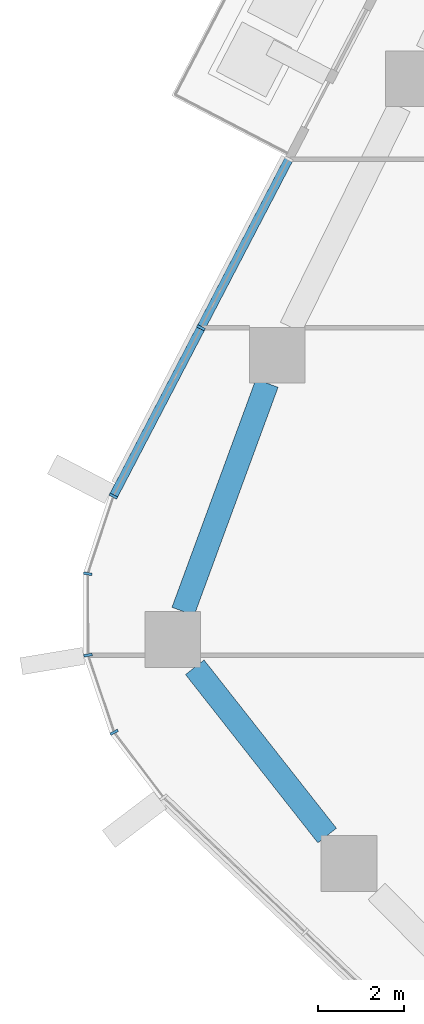
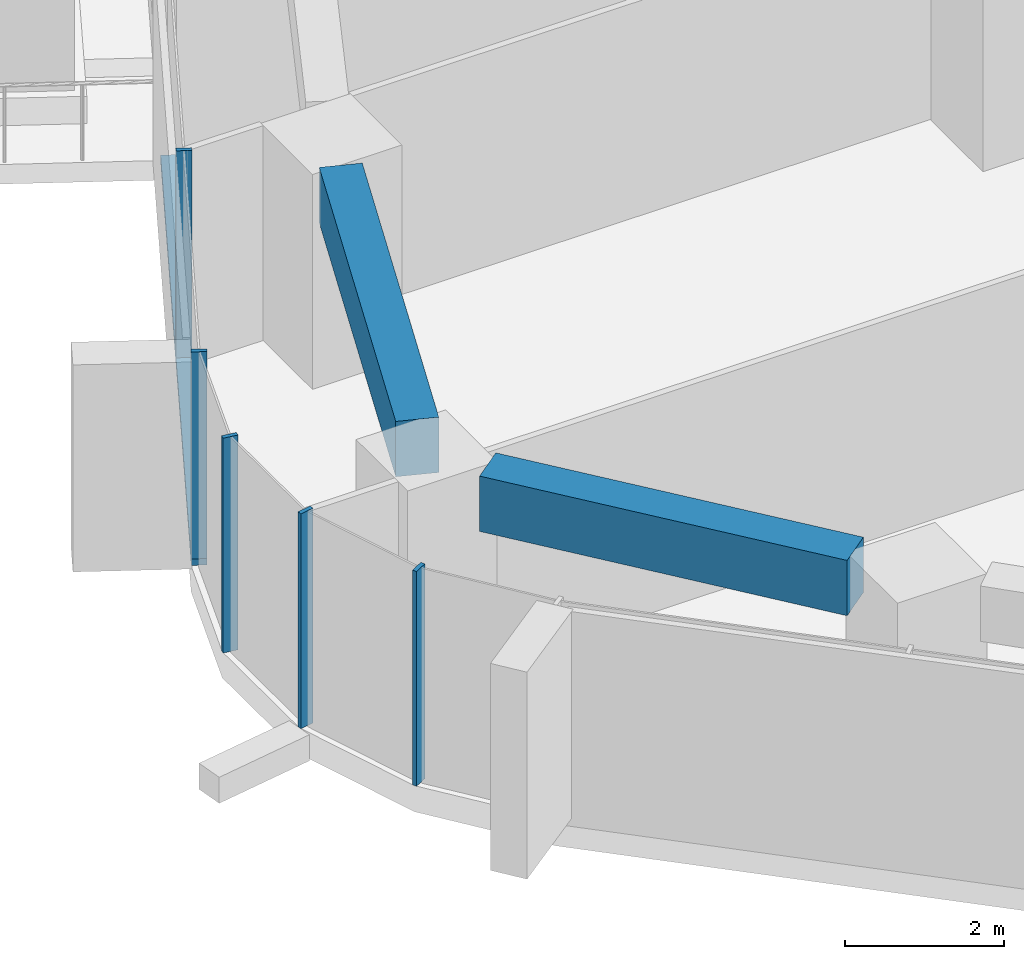
# One storey, part 3 of 23: 6 members, 2 beams, 2 elements without a shape of their own.
"""IFC4 building model written with IfcOpenShell, lengths in metres."""

from ifc_helpers import new_model, si_unit, direction, frame, origin, origin_2d, place, context, subcontext, project, spatial, rectangle, extrude, material, layer, layer_set, material_profile, profile_set, type_object, element, aggregate, save


model = new_model("IFC4")

# Units and contexts
model_context = context("Model", 3, precision=1e-05, world=origin(), true_north=direction((0.0, 1.0)))
body_context = subcontext(model_context, "Body", "Model", "MODEL_VIEW")
ifc_project = project(units=[si_unit("LENGTHUNIT", "METRE"), si_unit("AREAUNIT", "SQUARE_METRE"), si_unit("VOLUMEUNIT", "CUBIC_METRE"), si_unit("PLANEANGLEUNIT", "RADIAN"), si_unit("MASSUNIT", "GRAM", prefix="KILO")], contexts=[model_context])

# Site, building, storey
site_placement = place(None, origin())
site = spatial("IfcSite", under=ifc_project, at=site_placement, CompositionType="ELEMENT")
building_placement = place(site_placement, origin())
building = spatial("IfcBuilding", under=site, at=building_placement, Name="Dongbaek Canopy Tower", CompositionType="ELEMENT")
storey_placement = place(building_placement, frame((0.0, 0.0, 135.89990234375)))
storey = spatial("IfcBuildingStorey", under=building, at=storey_placement, Name="L30", CompositionType="ELEMENT", Elevation=135.89990234375)

# Curtain wall, members
ifc_material_1 = material(Name="Aluminium 6063-T6 pale anodised", Category="aluminium")
ifc_layer = layer(ifc_material_1, 0.199951171875)
ifc_layer_set = layer_set([ifc_layer], Name="CW-1 unitised tower curtain wall")
curtain_wall_type = type_object("IfcCurtainWallType", Name="CW-1 unitised tower curtain wall", PredefinedType="NOTDEFINED", material=ifc_layer_set)
curtain_wall_1_placement = place(storey_placement, origin())
curtain_wall_1 = element("IfcCurtainWall", 1, at=curtain_wall_1_placement, inside=storey, type_object=curtain_wall_type, Name="CW-1 curtain wall F2.1", PredefinedType="NOTDEFINED")
ifc_material_2 = material(Name="Aluminium 6063-T6 pale anodised", Category="aluminium")
ifc_material_profile_1 = material_profile(ifc_material_2, rectangle(XDim=0.199951171875, YDim=0.06005859375, at=origin_2d()), Name="CW-1 mullion 60 x 200")
ifc_profile_set_1 = profile_set([ifc_material_profile_1], Name="Aluminium 6063-T6 pale anodised")
member_type_1 = type_object("IfcMemberType", Name="CW-1 mullion 60 x 200", PredefinedType="MULLION", material=ifc_profile_set_1)
member_1_placement = place(storey_placement, frame((-29.468017578125, 0.722900390625, 0.1201171875), z_axis=(0.0, 0.0, 1.0), x_axis=(-0.886926731215, 0.461910135693, 0.0)))
member_1 = element("IfcMember", 2, at=member_1_placement, type_object=member_type_1, Name="CW-1 mullion F2.1.2", PredefinedType="MULLION", context=body_context, shape_type="SweptSolid", body=[
    extrude(rectangle(XDim=0.199951171875, YDim=0.06005859375, at=origin_2d()), origin(), (0.0, 0.0, 1.0), 3.179931640625),
])
member_2_placement = place(storey_placement, frame((-31.5078125, -3.19384765625, 0.1201171875), z_axis=(0.0, 0.0, 1.0), x_axis=(-0.886926731215, 0.461910135693, 0.0)))
member_2 = element("IfcMember", 3, at=member_2_placement, type_object=member_type_1, Name="CW-1 mullion F2.1.3", PredefinedType="MULLION", context=body_context, shape_type="SweptSolid", body=[
    extrude(rectangle(XDim=0.199951171875, YDim=0.06005859375, at=origin_2d()), origin(), (0.0, 0.0, 1.0), 3.179931640625),
])

curtain_wall_2_placement = place(storey_placement, origin())
curtain_wall_2 = element("IfcCurtainWall", 4, at=curtain_wall_2_placement, inside=storey, type_object=curtain_wall_type, Name="CW-1 curtain wall K3.1", PredefinedType="NOTDEFINED")
member_3_placement = place(storey_placement, frame((-32.1044921875, -5.0009765625, 0.0), z_axis=(0.0, 0.0, 1.0), x_axis=(-0.987615763611, 0.156892012119, 0.0)))
member_3 = element("IfcMember", 5, at=member_3_placement, type_object=member_type_1, Name="CW-1 mullion K3.1.2", PredefinedType="MULLION", context=body_context, shape_type="SweptSolid", body=[
    extrude(rectangle(XDim=0.199951171875, YDim=0.06005859375, at=origin_2d()), origin(), (0.0, 0.0, 1.0), 3.300048828125),
])
member_4_placement = place(storey_placement, frame((-32.09716796875, -6.8955078125, 0.0), z_axis=(0.0, 0.0, 1.0), x_axis=(-0.986408194435, -0.164313340761, 0.0)))
member_4 = element("IfcMember", 6, at=member_4_placement, type_object=member_type_1, Name="CW-1 mullion K3.1.3", PredefinedType="MULLION", context=body_context, shape_type="SweptSolid", body=[
    extrude(rectangle(XDim=0.199951171875, YDim=0.06005859375, at=origin_2d()), origin(), (0.0, 0.0, 1.0), 3.300048828125),
])
member_5_placement = place(storey_placement, frame((-31.48974609375, -8.690185546875, 0.0), z_axis=(0.0, 0.0, 1.0), x_axis=(-0.883428613843, -0.468565773658, 0.0)))
member_5 = element("IfcMember", 7, at=member_5_placement, type_object=member_type_1, Name="CW-1 mullion K3.1.4", PredefinedType="MULLION", context=body_context, shape_type="SweptSolid", body=[
    extrude(rectangle(XDim=0.199951171875, YDim=0.06005859375, at=origin_2d()), origin(), (0.0, 0.0, 1.0), 3.300048828125),
])
aggregate(curtain_wall_2, [member_3, member_4, member_5])

# Member
ifc_material_3 = material(Name="Aluminium 6063-T6 pale anodised", Category="aluminium")
ifc_material_profile_2 = material_profile(ifc_material_3, rectangle(XDim=0.199951171875, YDim=0.1201171875, at=origin_2d()), Name="CW-1 transom 120 x 200")
ifc_profile_set_2 = profile_set([ifc_material_profile_2], Name="Aluminium 6063-T6 pale anodised")
member_type_2 = type_object("IfcMemberType", Name="CW-1 transom 120 x 200", PredefinedType="USERDEFINED", material=ifc_profile_set_2)
member_6_placement = place(storey_placement, frame((-27.42431640625, 4.64697265625, 0.06005859375), z_axis=(-0.461910884915, -0.886926341021, 0.0), x_axis=(0.886926341021, -0.461910884915, 0.0)))
member_6 = element("IfcMember", 8, at=member_6_placement, type_object=member_type_2, Name="CW-1 transom F2.1.1", ObjectType="TRANSOM", PredefinedType="USERDEFINED", context=body_context, shape_type="SweptSolid", body=[
    extrude(rectangle(XDim=0.199951171875, YDim=0.1201171875, at=origin_2d()), origin(), (0.0, 0.0, 1.0), 8.84033203125),
])

aggregate(curtain_wall_1, [member_1, member_2, member_6])

# Beams
ifc_material_4 = material(Name="Concrete C80", Category="concrete")
ifc_material_profile_3 = material_profile(ifc_material_4, rectangle(XDim=0.550048828125, YDim=0.85009765625, at=origin_2d()), Name="RC EDGE BEAM 550x850 C80")
ifc_profile_set_3 = profile_set([ifc_material_profile_3], Name="Concrete C80")
beam_type = type_object("IfcBeamType", Name="RC EDGE BEAM 550x850 C80", PredefinedType="BEAM", material=ifc_profile_set_3)
beam_1_placement = place(storey_placement, frame((-26.532470703125, -11.093017578125, 2.875), z_axis=(-0.618340753303, 0.78591011751, 0.0), x_axis=(-0.78591011751, -0.618340753303, 0.0)))
element("IfcBeam", 9, at=beam_1_placement, inside=storey, type_object=beam_type, Name="EDGEBEAM:L30:07", PredefinedType="BEAM", context=body_context, shape_type="SweptSolid", body=[
    extrude(rectangle(XDim=0.550048828125, YDim=0.85009765625, at=origin_2d()), origin(), (0.0, 0.0, 1.0), 4.982666015625),
])
beam_2_placement = place(storey_placement, frame((-29.8857421875, -5.876953125, 2.875), z_axis=(0.345281407117, 0.938499200799, 0.0), x_axis=(-0.938499200799, 0.345281407117, 0.0)))
element("IfcBeam", 10, at=beam_2_placement, inside=storey, type_object=beam_type, Name="EDGEBEAM:L30:08", PredefinedType="BEAM", context=body_context, shape_type="SweptSolid", body=[
    extrude(rectangle(XDim=0.550048828125, YDim=0.85009765625, at=origin_2d()), origin(), (0.0, 0.0, 1.0), 5.657958984375),
])

save(model, "model.ifc")
